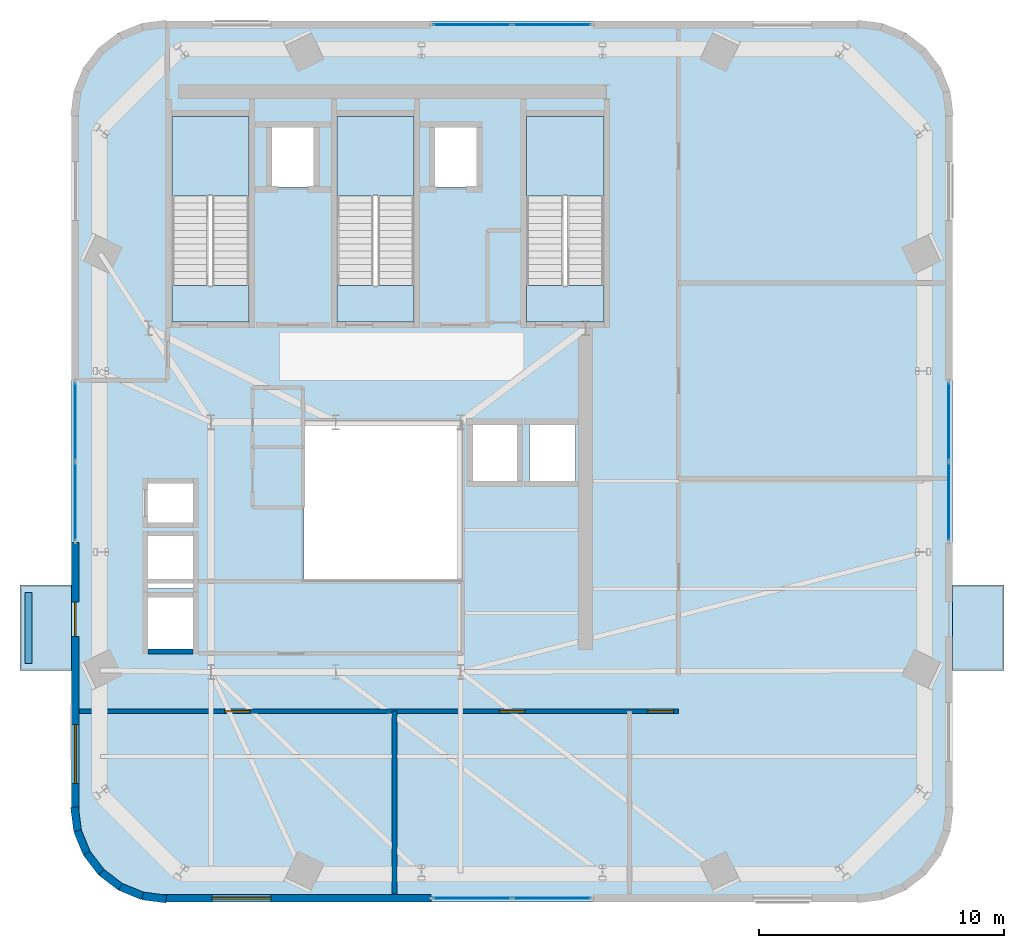
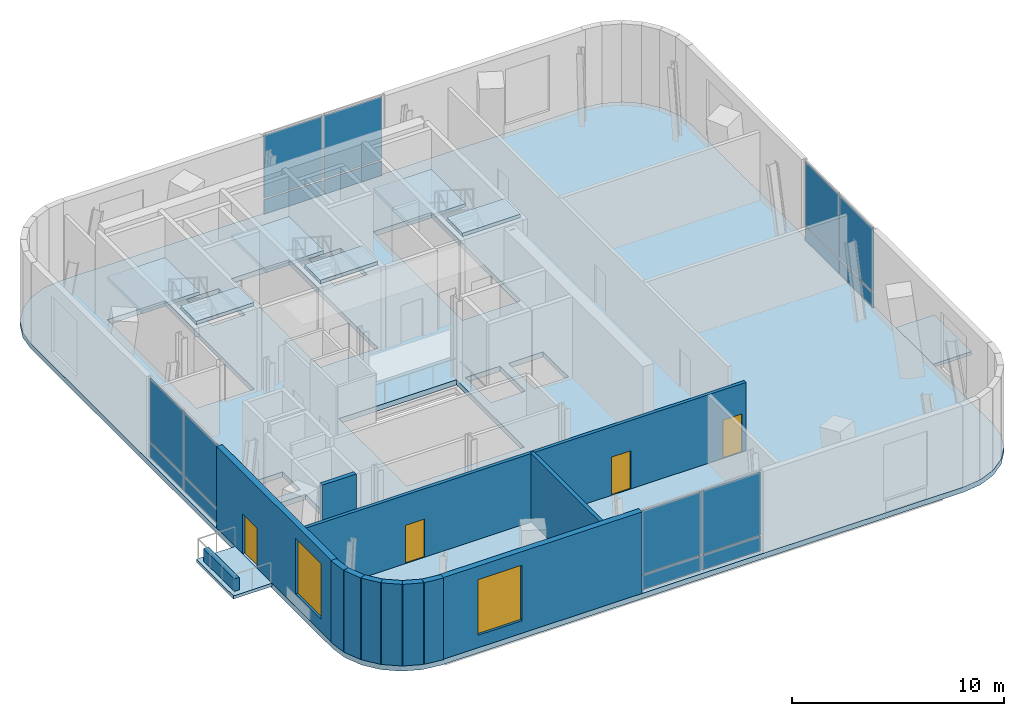
# One storey, part 5 of 11: 16 plates, 12 walls, 9 slabs, 4 doors, 2 windows, 6 openings, 7 elements without a shape of their own.
"""IFC4 building model written with IfcOpenShell, lengths in metres."""

from ifc_helpers import new_model, si_unit, direction, frame, frame_2d, origin, origin_2d, place, context, subcontext, project, spatial, polyline, rectangle, outline, extrude, source, transform, mapped, material, layer, layer_set, type_object, element, fill, aggregate, save


model = new_model("IFC4")

# Units and contexts
model_context = context("Model", 3, precision=1e-05, world=origin(), true_north=direction((0.0, 1.0)))
body_context = subcontext(model_context, "Body", "Model", "MODEL_VIEW")
ifc_project = project(units=[si_unit("LENGTHUNIT", "METRE"), si_unit("AREAUNIT", "SQUARE_METRE"), si_unit("VOLUMEUNIT", "CUBIC_METRE"), si_unit("PLANEANGLEUNIT", "RADIAN"), si_unit("MASSUNIT", "GRAM", prefix="KILO")], contexts=[model_context])

# Site, building, storey
site_placement = place(None, origin())
site = spatial("IfcSite", under=ifc_project, at=site_placement, CompositionType="ELEMENT")
building_placement = place(site_placement, origin())
building = spatial("IfcBuilding", under=site, at=building_placement, Name="Vardaveli Station Tower", CompositionType="ELEMENT")
storey_placement = place(building_placement, frame((0.0, 0.0, 296.14990234375)))
storey = spatial("IfcBuildingStorey", under=building, at=storey_placement, Name="L75", CompositionType="ELEMENT", Elevation=296.14990234375)

# Stair, slabs
ifc_material_1 = material(Name="Concrete C40/50", Category="concrete")
stair_type = type_object("IfcStairType", Name="STR-CORE-1500", PredefinedType="HALF_TURN_STAIR", material=ifc_material_1)
stair_1_placement = place(storey_placement, origin())
stair_1 = element("IfcStair", 1, at=stair_1_placement, inside=storey, type_object=stair_type, Name="L75 ST-1", PredefinedType="HALF_TURN_STAIR")
ifc_layer_1 = layer(ifc_material_1, 0.199951171875, Name="Concrete C40/50")
ifc_layer_set_1 = layer_set([ifc_layer_1], Name="Concrete C40/50")
slab_type_1 = type_object("IfcSlabType", Name="SLB-LAND-200", PredefinedType="LANDING", material=ifc_layer_set_1)
slab_1_placement = place(storey_placement, frame((0.0, 0.0, 2.300048828125)))
slab_1 = element("IfcSlab", 2, at=slab_1_placement, type_object=slab_type_1, Name="ST-1 landing 1", PredefinedType="LANDING", context=body_context, shape_type="SweptSolid", body=[
    extrude(outline(polyline([(32.75, 36.0400390625), (32.75, 39.300048828125), (29.60009765625, 39.300048828125), (29.60009765625, 36.0400390625), (32.75, 36.0400390625)])), origin(), (0.0, 0.0, 1.0), 0.199951171875),
])
slab_2_placement = place(storey_placement, frame((0.0, 0.0, 4.800048828125)))
slab_2 = element("IfcSlab", 3, at=slab_2_placement, type_object=slab_type_1, Name="ST-1 landing 2", PredefinedType="LANDING", context=body_context, shape_type="SweptSolid", body=[
    extrude(outline(polyline([(32.75, 30.89990234375), (32.75, 32.39990234375), (29.60009765625, 32.39990234375), (29.60009765625, 30.89990234375), (32.75, 30.89990234375)])), origin(), (0.0, 0.0, 1.0), 0.199951171875),
])
aggregate(stair_1, [slab_1, slab_2])

stair_2_placement = place(storey_placement, origin())
stair_2 = element("IfcStair", 4, at=stair_2_placement, inside=storey, type_object=stair_type, Name="L75 ST-2", PredefinedType="HALF_TURN_STAIR")
slab_3_placement = place(storey_placement, frame((0.0, 0.0, 2.300048828125)))
slab_3 = element("IfcSlab", 5, at=slab_3_placement, type_object=slab_type_1, Name="ST-2 landing 1", PredefinedType="LANDING", context=body_context, shape_type="SweptSolid", body=[
    extrude(outline(polyline([(39.5, 36.0400390625), (39.5, 39.300048828125), (36.35009765625, 39.300048828125), (36.35009765625, 36.0400390625), (39.5, 36.0400390625)])), origin(), (0.0, 0.0, 1.0), 0.199951171875),
])
slab_4_placement = place(storey_placement, frame((0.0, 0.0, 4.800048828125)))
slab_4 = element("IfcSlab", 6, at=slab_4_placement, type_object=slab_type_1, Name="ST-2 landing 2", PredefinedType="LANDING", context=body_context, shape_type="SweptSolid", body=[
    extrude(outline(polyline([(39.5, 30.89990234375), (39.5, 32.39990234375), (36.35009765625, 32.39990234375), (36.35009765625, 30.89990234375), (39.5, 30.89990234375)])), origin(), (0.0, 0.0, 1.0), 0.199951171875),
])
aggregate(stair_2, [slab_3, slab_4])

stair_3_placement = place(storey_placement, origin())
stair_3 = element("IfcStair", 7, at=stair_3_placement, inside=storey, type_object=stair_type, Name="L75 ST-3", PredefinedType="HALF_TURN_STAIR")
slab_5_placement = place(storey_placement, frame((0.0, 0.0, 2.300048828125)))
slab_5 = element("IfcSlab", 8, at=slab_5_placement, type_object=slab_type_1, Name="ST-3 landing 1", PredefinedType="LANDING", context=body_context, shape_type="SweptSolid", body=[
    extrude(outline(polyline([(47.25, 36.0400390625), (47.25, 39.300048828125), (44.10009765625, 39.300048828125), (44.10009765625, 36.0400390625), (47.25, 36.0400390625)])), origin(), (0.0, 0.0, 1.0), 0.199951171875),
])
slab_6_placement = place(storey_placement, frame((0.0, 0.0, 4.800048828125)))
slab_6 = element("IfcSlab", 9, at=slab_6_placement, type_object=slab_type_1, Name="ST-3 landing 2", PredefinedType="LANDING", context=body_context, shape_type="SweptSolid", body=[
    extrude(outline(polyline([(47.25, 30.89990234375), (47.25, 32.39990234375), (44.10009765625, 32.39990234375), (44.10009765625, 30.89990234375), (47.25, 30.89990234375)])), origin(), (0.0, 0.0, 1.0), 0.199951171875),
])
aggregate(stair_3, [slab_5, slab_6])

# Slabs
ifc_material_2 = material(Name="Precast concrete C45/55", Category="concrete")
ifc_layer_2 = layer(ifc_material_2, 0.179931640625, Name="Precast concrete C45/55")
ifc_layer_set_2 = layer_set([ifc_layer_2], Name="Precast concrete C45/55")
slab_type_2 = type_object("IfcSlabType", Name="SLB-LOGGIA-180", PredefinedType="FLOOR", material=ifc_layer_set_2)
slab_7_placement = place(storey_placement, frame((0.0, 0.0, -0.179931640625)))
element("IfcSlab", 10, at=slab_7_placement, inside=storey, type_object=slab_type_2, Name="LOG-L75-W", PredefinedType="FLOOR", context=body_context, shape_type="SweptSolid", body=[
    extrude(outline(polyline([(23.39990234375, 16.657470703125), (25.5, 16.657470703125), (25.5, 20.157470703125), (23.39990234375, 20.157470703125), (23.39990234375, 16.657470703125)])), origin(), (0.0, 0.0, 1.0), 0.179931640625),
])
slab_8_placement = place(storey_placement, frame((0.0, 0.0, -0.179931640625)))
element("IfcSlab", 11, at=slab_8_placement, inside=storey, type_object=slab_type_2, Name="LOG-L75-E", PredefinedType="FLOOR", context=body_context, shape_type="SweptSolid", body=[
    extrude(outline(polyline([(61.5, 16.657470703125), (63.60009765625, 16.657470703125), (63.60009765625, 20.157470703125), (61.5, 20.157470703125), (61.5, 16.657470703125)])), origin(), (0.0, 0.0, 1.0), 0.179931640625),
])
ifc_material_3 = material(Name="Concrete C50/60", Category="concrete")
ifc_layer_3 = layer(ifc_material_3, 0.300048828125, Name="Concrete C50/60")
ifc_layer_set_3 = layer_set([ifc_layer_3], Name="Concrete C50/60")
slab_type_3 = type_object("IfcSlabType", Name="SLB-REF-300", PredefinedType="FLOOR", material=ifc_layer_set_3)
slab_9_placement = place(storey_placement, frame((0.0, 0.0, -0.2998046875)))
element("IfcSlab", 12, at=slab_9_placement, inside=storey, type_object=slab_type_3, Name="SLB-L75-MAIN", PredefinedType="FLOOR", context=body_context, shape_type="SweptSolid", body=[
    extrude(outline(polyline([(25.5, 10.97998046875), (25.62890625, 10.001708984375), (26.00634765625, 9.090087890625), (26.607177734375, 8.30712890625), (27.389892578125, 7.70654296875), (28.3017578125, 7.328857421875), (29.280029296875, 7.199951171875), (57.719970703125, 7.199951171875), (58.6982421875, 7.328857421875), (59.610107421875, 7.70654296875), (60.392822265625, 8.30712890625), (60.99365234375, 9.090087890625), (61.37109375, 10.001708984375), (61.5, 10.97998046875), (61.5, 39.419921875), (61.37109375, 40.3984375), (60.99365234375, 41.31005859375), (60.392822265625, 42.0927734375), (59.610107421875, 42.693603515625), (58.6982421875, 43.0712890625), (57.719970703125, 43.199951171875), (29.280029296875, 43.199951171875), (28.3017578125, 43.0712890625), (27.389892578125, 42.693603515625), (26.607177734375, 42.0927734375), (26.00634765625, 41.31005859375), (25.62890625, 40.3984375), (25.5, 39.419921875), (25.5, 10.97998046875)]), holes=[polyline([(35.0, 20.39990234375), (41.39990234375, 20.39990234375), (41.39990234375, 26.800048828125), (35.0, 26.800048828125), (35.0, 20.39990234375)]), polyline([(32.75, 30.89990234375), (32.75, 39.300048828125), (29.60009765625, 39.300048828125), (29.60009765625, 30.89990234375), (32.75, 30.89990234375)]), polyline([(39.5, 30.89990234375), (39.5, 39.300048828125), (36.35009765625, 39.300048828125), (36.35009765625, 30.89990234375), (39.5, 30.89990234375)]), polyline([(47.25, 30.89990234375), (47.25, 39.300048828125), (44.10009765625, 39.300048828125), (44.10009765625, 30.89990234375), (47.25, 30.89990234375)]), polyline([(33.659912109375, 36.409912109375), (35.43994140625, 36.409912109375), (35.43994140625, 38.889892578125), (33.659912109375, 38.889892578125), (33.659912109375, 36.409912109375)]), polyline([(40.31005859375, 36.409912109375), (42.090087890625, 36.409912109375), (42.090087890625, 38.889892578125), (40.31005859375, 38.889892578125), (40.31005859375, 36.409912109375)]), polyline([(28.5849609375, 17.510009765625), (30.514892578125, 17.510009765625), (30.514892578125, 19.68994140625), (28.5849609375, 19.68994140625), (28.5849609375, 17.510009765625)]), polyline([(28.5849609375, 20.010009765625), (30.514892578125, 20.010009765625), (30.514892578125, 22.18994140625), (28.5849609375, 22.18994140625), (28.5849609375, 20.010009765625)]), polyline([(28.5849609375, 22.659912109375), (30.514892578125, 22.659912109375), (30.514892578125, 24.340087890625), (28.5849609375, 24.340087890625), (28.5849609375, 22.659912109375)]), polyline([(41.860107421875, 24.360107421875), (43.739990234375, 24.360107421875), (43.739990234375, 26.739990234375), (41.860107421875, 26.739990234375), (41.860107421875, 24.360107421875)]), polyline([(44.2099609375, 24.360107421875), (46.090087890625, 24.360107421875), (46.090087890625, 26.739990234375), (44.2099609375, 26.739990234375), (44.2099609375, 24.360107421875)])]), origin(), (0.0, 0.0, 1.0), 0.2998046875),
])

# Curtain wall, plates
ifc_material_4 = material(Name="Travertine stone and solar-control glass", Category="masonry")
curtain_wall_type = type_object("IfcCurtainWallType", Name="CW-SYS-5", PredefinedType="NOTDEFINED", material=ifc_material_4)
curtain_wall_1_placement = place(storey_placement, origin())
curtain_wall_1 = element("IfcCurtainWall", 13, at=curtain_wall_1_placement, inside=storey, type_object=curtain_wall_type, Name="CW-L75-S", PredefinedType="NOTDEFINED")
ifc_material_5 = material(Name="Double-glazed low-E solar-control glass", Category="glass")
ifc_layer_4 = layer(ifc_material_5, 0.031982421875, Name="Double-glazed low-E solar-control glass")
ifc_layer_set_4 = layer_set([ifc_layer_4], Name="Double-glazed low-E solar-control glass")
plate_type = type_object("IfcPlateType", Name="CW-SYS-5-PAN", PredefinedType="CURTAIN_PANEL", material=ifc_layer_set_4)
shared_shape_1 = source(origin(), body_context, "Body", "SweptSolid", [
    extrude(rectangle(XDim=3.179931640625, YDim=0.031982421875, at=origin_2d()), origin(), (0.0, 0.0, 1.0), 0.830078125),
])
plate_1_placement = place(storey_placement, frame((41.8701171875, 7.360107421875, 0.080078125), z_axis=(0.0, 0.0, 1.0), x_axis=(1.0, 0.0, 0.0)))
plate_1 = element("IfcPlate", 14, at=plate_1_placement, type_object=plate_type, Name="CW-5 panel 1.1", PredefinedType="CURTAIN_PANEL", context=body_context, shape_type="MappedRepresentation", body=[
    mapped(shared_shape_1, transform((0.0, 0.0, 0.0), scale=1.0)),
])
plate_2_placement = place(storey_placement, frame((45.1298828125, 7.360107421875, 0.080078125), z_axis=(0.0, 0.0, 1.0), x_axis=(1.0, 0.0, 0.0)))
plate_2 = element("IfcPlate", 15, at=plate_2_placement, type_object=plate_type, Name="CW-5 panel 2.1", PredefinedType="CURTAIN_PANEL", context=body_context, shape_type="MappedRepresentation", body=[
    mapped(shared_shape_1, transform((0.0, 0.0, 0.0), scale=1.0)),
])

curtain_wall_2_placement = place(storey_placement, origin())
curtain_wall_2 = element("IfcCurtainWall", 16, at=curtain_wall_2_placement, inside=storey, type_object=curtain_wall_type, Name="CW-L75-N", PredefinedType="NOTDEFINED")
plate_3_placement = place(storey_placement, frame((45.1298828125, 43.0400390625, 0.080078125), z_axis=(0.0, 0.0, 1.0), x_axis=(-1.0, 0.0, 0.0)))
plate_3 = element("IfcPlate", 17, at=plate_3_placement, type_object=plate_type, Name="CW-5 panel 1.1", PredefinedType="CURTAIN_PANEL", context=body_context, shape_type="MappedRepresentation", body=[
    mapped(shared_shape_1, transform((0.0, 0.0, 0.0), scale=1.0)),
])
plate_4_placement = place(storey_placement, frame((41.8701171875, 43.0400390625, 0.080078125), z_axis=(0.0, 0.0, 1.0), x_axis=(-1.0, 0.0, 0.0)))
plate_4 = element("IfcPlate", 18, at=plate_4_placement, type_object=plate_type, Name="CW-5 panel 2.1", PredefinedType="CURTAIN_PANEL", context=body_context, shape_type="MappedRepresentation", body=[
    mapped(shared_shape_1, transform((0.0, 0.0, 0.0), scale=1.0)),
])

curtain_wall_3_placement = place(storey_placement, origin())
curtain_wall_3 = element("IfcCurtainWall", 19, at=curtain_wall_3_placement, inside=storey, type_object=curtain_wall_type, Name="CW-L75-W", PredefinedType="NOTDEFINED")
plate_5_placement = place(storey_placement, frame((25.659912109375, 26.830078125, 0.080078125), z_axis=(0.0, 0.0, 1.0), x_axis=(0.0, -1.0, 0.0)))
plate_5 = element("IfcPlate", 20, at=plate_5_placement, type_object=plate_type, Name="CW-5 panel 1.1", PredefinedType="CURTAIN_PANEL", context=body_context, shape_type="MappedRepresentation", body=[
    mapped(shared_shape_1, transform((0.0, 0.0, 0.0), scale=1.0)),
])
plate_6_placement = place(storey_placement, frame((25.659912109375, 23.570068359375, 0.080078125), z_axis=(0.0, 0.0, 1.0), x_axis=(0.0, -1.0, 0.0)))
plate_6 = element("IfcPlate", 21, at=plate_6_placement, type_object=plate_type, Name="CW-5 panel 2.1", PredefinedType="CURTAIN_PANEL", context=body_context, shape_type="MappedRepresentation", body=[
    mapped(shared_shape_1, transform((0.0, 0.0, 0.0), scale=1.0)),
])

curtain_wall_4_placement = place(storey_placement, origin())
curtain_wall_4 = element("IfcCurtainWall", 22, at=curtain_wall_4_placement, inside=storey, type_object=curtain_wall_type, Name="CW-L75-E", PredefinedType="NOTDEFINED")
plate_7_placement = place(storey_placement, frame((61.340087890625, 23.570068359375, 0.080078125), z_axis=(0.0, 0.0, 1.0), x_axis=(0.0, 1.0, 0.0)))
plate_7 = element("IfcPlate", 23, at=plate_7_placement, type_object=plate_type, Name="CW-5 panel 1.1", PredefinedType="CURTAIN_PANEL", context=body_context, shape_type="MappedRepresentation", body=[
    mapped(shared_shape_1, transform((0.0, 0.0, 0.0), scale=1.0)),
])
plate_8_placement = place(storey_placement, frame((61.340087890625, 26.830078125, 0.080078125), z_axis=(0.0, 0.0, 1.0), x_axis=(0.0, 1.0, 0.0)))
plate_8 = element("IfcPlate", 24, at=plate_8_placement, type_object=plate_type, Name="CW-5 panel 2.1", PredefinedType="CURTAIN_PANEL", context=body_context, shape_type="MappedRepresentation", body=[
    mapped(shared_shape_1, transform((0.0, 0.0, 0.0), scale=1.0)),
])

# Plate
shared_shape_2 = source(origin(), body_context, "Body", "SweptSolid", [
    extrude(rectangle(XDim=3.179931640625, YDim=0.031982421875, at=origin_2d()), origin(), (0.0, 0.0, 1.0), 3.6298828125),
])
plate_9_placement = place(storey_placement, frame((41.8701171875, 7.360107421875, 0.990234375), z_axis=(0.0, 0.0, 1.0), x_axis=(1.0, 0.0, 0.0)))
plate_9 = element("IfcPlate", 25, at=plate_9_placement, type_object=plate_type, Name="CW-5 panel 1.2", PredefinedType="CURTAIN_PANEL", context=body_context, shape_type="MappedRepresentation", body=[
    mapped(shared_shape_2, transform((0.0, 0.0, 0.0), scale=1.0)),
])

plate_10_placement = place(storey_placement, frame((45.1298828125, 7.360107421875, 0.990234375), z_axis=(0.0, 0.0, 1.0), x_axis=(1.0, 0.0, 0.0)))
plate_10 = element("IfcPlate", 26, at=plate_10_placement, type_object=plate_type, Name="CW-5 panel 2.2", PredefinedType="CURTAIN_PANEL", context=body_context, shape_type="MappedRepresentation", body=[
    mapped(shared_shape_2, transform((0.0, 0.0, 0.0), scale=1.0)),
])

aggregate(curtain_wall_1, [plate_1, plate_9, plate_2, plate_10])

plate_11_placement = place(storey_placement, frame((45.1298828125, 43.0400390625, 0.990234375), z_axis=(0.0, 0.0, 1.0), x_axis=(-1.0, 0.0, 0.0)))
plate_11 = element("IfcPlate", 27, at=plate_11_placement, type_object=plate_type, Name="CW-5 panel 1.2", PredefinedType="CURTAIN_PANEL", context=body_context, shape_type="MappedRepresentation", body=[
    mapped(shared_shape_2, transform((0.0, 0.0, 0.0), scale=1.0)),
])

plate_12_placement = place(storey_placement, frame((41.8701171875, 43.0400390625, 0.990234375), z_axis=(0.0, 0.0, 1.0), x_axis=(-1.0, 0.0, 0.0)))
plate_12 = element("IfcPlate", 28, at=plate_12_placement, type_object=plate_type, Name="CW-5 panel 2.2", PredefinedType="CURTAIN_PANEL", context=body_context, shape_type="MappedRepresentation", body=[
    mapped(shared_shape_2, transform((0.0, 0.0, 0.0), scale=1.0)),
])

aggregate(curtain_wall_2, [plate_3, plate_11, plate_4, plate_12])

plate_13_placement = place(storey_placement, frame((25.659912109375, 26.830078125, 0.990234375), z_axis=(0.0, 0.0, 1.0), x_axis=(0.0, -1.0, 0.0)))
plate_13 = element("IfcPlate", 29, at=plate_13_placement, type_object=plate_type, Name="CW-5 panel 1.2", PredefinedType="CURTAIN_PANEL", context=body_context, shape_type="MappedRepresentation", body=[
    mapped(shared_shape_2, transform((0.0, 0.0, 0.0), scale=1.0)),
])

plate_14_placement = place(storey_placement, frame((25.659912109375, 23.570068359375, 0.990234375), z_axis=(0.0, 0.0, 1.0), x_axis=(0.0, -1.0, 0.0)))
plate_14 = element("IfcPlate", 30, at=plate_14_placement, type_object=plate_type, Name="CW-5 panel 2.2", PredefinedType="CURTAIN_PANEL", context=body_context, shape_type="MappedRepresentation", body=[
    mapped(shared_shape_2, transform((0.0, 0.0, 0.0), scale=1.0)),
])

aggregate(curtain_wall_3, [plate_5, plate_13, plate_6, plate_14])

plate_15_placement = place(storey_placement, frame((61.340087890625, 23.570068359375, 0.990234375), z_axis=(0.0, 0.0, 1.0), x_axis=(0.0, 1.0, 0.0)))
plate_15 = element("IfcPlate", 31, at=plate_15_placement, type_object=plate_type, Name="CW-5 panel 1.2", PredefinedType="CURTAIN_PANEL", context=body_context, shape_type="MappedRepresentation", body=[
    mapped(shared_shape_2, transform((0.0, 0.0, 0.0), scale=1.0)),
])

plate_16_placement = place(storey_placement, frame((61.340087890625, 26.830078125, 0.990234375), z_axis=(0.0, 0.0, 1.0), x_axis=(0.0, 1.0, 0.0)))
plate_16 = element("IfcPlate", 32, at=plate_16_placement, type_object=plate_type, Name="CW-5 panel 2.2", PredefinedType="CURTAIN_PANEL", context=body_context, shape_type="MappedRepresentation", body=[
    mapped(shared_shape_2, transform((0.0, 0.0, 0.0), scale=1.0)),
])

aggregate(curtain_wall_4, [plate_7, plate_15, plate_8, plate_16])

# Wall, opening, window
ifc_layer_5 = layer(ifc_material_2, 0.320068359375, Name="Precast concrete C45/55")
ifc_layer_set_5 = layer_set([ifc_layer_5], Name="Precast concrete C45/55")
wall_type_1 = type_object("IfcWallType", Name="WAL-EXT-STONE-320", PredefinedType="SOLIDWALL", material=ifc_layer_set_5)
shared_shape_3 = source(origin(), body_context, "Body", "SweptSolid", [
    extrude(rectangle(XDim=10.919921875, YDim=0.320068359375, at=frame_2d((5.4599609375, 0.0))), origin(), (0.0, 0.0, 1.0), 4.7001953125),
])
wall_1_placement = place(storey_placement, frame((29.280029296875, 7.360107421875, 0.0), z_axis=(0.0, 0.0, 1.0), x_axis=(1.0, 0.0, 0.0)))
wall_1 = element("IfcWall", 33, at=wall_1_placement, inside=storey, type_object=wall_type_1, Name="EW-L75-S1", PredefinedType="SOLIDWALL", context=body_context, shape_type="MappedRepresentation", body=[
    mapped(shared_shape_3, transform((0.0, 0.0, 0.0), scale=1.0)),
])
shared_shape_4 = source(origin(), body_context, "Body", "SweptSolid", [
    extrude(rectangle(XDim=2.39990234375, YDim=3.199951171875, at=frame_2d((1.199951171875, 1.60009765625))), frame((0.0, 0.169921875, 0.0), z_axis=(0.0, -1.0, 0.0), x_axis=(1.0, 0.0, 0.0)), (0.0, 0.0, 1.0), 0.340087890625),
])
opening_1_placement = place(wall_1_placement, frame((1.968994140625, 0.0, 0.719970703125)))
opening_1 = element("IfcOpeningElement", 34, at=opening_1_placement, cuts=wall_1, Name="Opening W-06", PredefinedType="OPENING", context=body_context, shape_type="MappedRepresentation", body=[
    mapped(shared_shape_4, transform((0.0, 0.0, 0.0), scale=1.0)),
])
ifc_material_6 = material(Name="Low-iron tempered belvedere glass", Category="glass")
window_type = type_object("IfcWindowType", Name="WIN-OBS-2400x3200", PartitioningType="SINGLE_PANEL", PredefinedType="WINDOW", material=ifc_material_6)
shared_shape_5 = source(origin(), body_context, "Body", "SweptSolid", [
    extrude(rectangle(XDim=2.39990234375, YDim=3.199951171875, at=frame_2d((1.199951171875, 1.60009765625))), frame((0.0, 0.030029296875, 0.0), z_axis=(0.0, -1.0, 0.0), x_axis=(1.0, 0.0, 0.0)), (0.0, 0.0, 1.0), 0.06005859375),
])
window_1_placement = place(opening_1_placement, origin())
window_1 = element("IfcWindow", 35, at=window_1_placement, inside=storey, type_object=window_type, Name="WN-L75-S1", OverallHeight=3.199951171875, OverallWidth=2.39990234375, PartitioningType="SINGLE_PANEL", PredefinedType="WINDOW", context=body_context, shape_type="MappedRepresentation", body=[
    mapped(shared_shape_5, transform((0.0, 0.0, 0.0), scale=1.0)),
])
fill(opening_1, window_1)

# Wall, openings, door, window
wall_2_placement = place(storey_placement, frame((25.659912109375, 21.89990234375, 0.0), z_axis=(0.0, 0.0, 1.0), x_axis=(0.0, -1.0, 0.0)))
wall_2 = element("IfcWall", 36, at=wall_2_placement, inside=storey, type_object=wall_type_1, Name="EW-L75-W2", PredefinedType="SOLIDWALL", context=body_context, shape_type="MappedRepresentation", body=[
    mapped(shared_shape_3, transform((0.0, 0.0, 0.0), scale=1.0)),
])
shared_shape_6 = source(origin(), body_context, "Body", "SweptSolid", [
    extrude(rectangle(XDim=1.39990234375, YDim=2.300048828125, at=frame_2d((0.699951171875, 1.14990234375))), frame((0.0, 0.169921875, 0.0), z_axis=(0.0, -1.0, 0.0), x_axis=(1.0, 0.0, 0.0)), (0.0, 0.0, 1.0), 0.340087890625),
])
opening_2_placement = place(wall_2_placement, frame((2.4423828125, 0.0, 0.0)))
opening_2 = element("IfcOpeningElement", 37, at=opening_2_placement, cuts=wall_2, Name="Opening D-09", PredefinedType="OPENING", context=body_context, shape_type="MappedRepresentation", body=[
    mapped(shared_shape_6, transform((0.0, 0.0, 0.0), scale=1.0)),
])
opening_3_placement = place(wall_2_placement, frame((7.450927734375, 0.0, 0.719970703125)))
opening_3 = element("IfcOpeningElement", 38, at=opening_3_placement, cuts=wall_2, Name="Opening W-06", PredefinedType="OPENING", context=body_context, shape_type="MappedRepresentation", body=[
    mapped(shared_shape_4, transform((0.0, 0.0, 0.0), scale=1.0)),
])
ifc_material_7 = material(Name="Thermally broken aluminium glass", Category="aluminium")
door_type_1 = type_object("IfcDoorType", Name="DR-LOG-1400x2300", OperationType="DOUBLE_DOOR_SLIDING", PredefinedType="DOOR", material=ifc_material_7)
shared_shape_7 = source(origin(), body_context, "Body", "SweptSolid", [
    extrude(rectangle(XDim=1.39990234375, YDim=2.300048828125, at=frame_2d((0.699951171875, 1.14990234375))), frame((0.0, 0.02490234375, 0.0), z_axis=(0.0, -1.0, 0.0), x_axis=(1.0, 0.0, 0.0)), (0.0, 0.0, 1.0), 0.050048828125),
])
door_1_placement = place(opening_2_placement, frame((1.39990234375, 0.0, 0.0), z_axis=(0.0, 0.0, 1.0), x_axis=(-1.0, 0.0, 0.0)))
door_1 = element("IfcDoor", 39, at=door_1_placement, inside=storey, type_object=door_type_1, Name="DLG-L75-W", OperationType="DOUBLE_DOOR_SLIDING", OverallHeight=2.300048828125, OverallWidth=1.39990234375, PredefinedType="DOOR", context=body_context, shape_type="MappedRepresentation", body=[
    mapped(shared_shape_7, transform((0.0, 0.0, 0.0), scale=1.0)),
])
fill(opening_2, door_1)
window_2_placement = place(opening_3_placement, origin())
window_2 = element("IfcWindow", 40, at=window_2_placement, inside=storey, type_object=window_type, Name="WN-L75-W2", OverallHeight=3.199951171875, OverallWidth=2.39990234375, PartitioningType="SINGLE_PANEL", PredefinedType="WINDOW", context=body_context, shape_type="MappedRepresentation", body=[
    mapped(shared_shape_5, transform((0.0, 0.0, 0.0), scale=1.0)),
])
fill(opening_3, window_2)

# Walls
shared_shape_8 = source(origin(), body_context, "Body", "SweptSolid", [
    extrude(rectangle(XDim=0.98193359375, YDim=0.320068359375, at=frame_2d((0.490966796875, 0.0))), origin(), (0.0, 0.0, 1.0), 4.7001953125),
])
for number, where, z_axis, x_axis, name in (
    (41, (25.62548828125, 11.0791015625, 0.0), (0.0, 0.0, 1.0), (0.127553190833, -0.991831731449, 0.0), "EW-L75-CR1-1"),
    (42, (28.4052734375, 7.45068359375, 0.0), (0.0, 0.0, 1.0), (0.991831731449, -0.127553190833, 0.0), "EW-L75-CR1-6"),
):
    element("IfcWall", number, at=place(storey_placement, frame(where, z_axis=z_axis, x_axis=x_axis)), inside=storey, type_object=wall_type_1, Name=name, PredefinedType="SOLIDWALL", context=body_context, shape_type="MappedRepresentation", body=[
        mapped(shared_shape_8, transform((0.0, 0.0, 0.0), scale=1.0)),
    ])
shared_shape_9 = source(origin(), body_context, "Body", "SweptSolid", [
    extrude(rectangle(XDim=0.98046875, YDim=0.320068359375, at=frame_2d((0.490234375, 0.0))), origin(), (0.0, 0.0, 1.0), 4.7001953125),
])
for number, where, z_axis, x_axis, name in (
    (43, (25.750732421875, 10.105224609375, 0.0), (0.0, 0.0, 1.0), (0.380687191599, -0.924703878089, 0.0), "EW-L75-CR1-2"),
    (44, (26.1240234375, 9.198486328125, 0.0), (0.0, 0.0, 1.0), (0.608096912543, -0.793862799831, 0.0), "EW-L75-CR1-3"),
):
    element("IfcWall", number, at=place(storey_placement, frame(where, z_axis=z_axis, x_axis=x_axis)), inside=storey, type_object=wall_type_1, Name=name, PredefinedType="SOLIDWALL", context=body_context, shape_type="MappedRepresentation", body=[
        mapped(shared_shape_9, transform((0.0, 0.0, 0.0), scale=1.0)),
    ])
shared_shape_10 = source(origin(), body_context, "Body", "SweptSolid", [
    extrude(rectangle(XDim=0.97998046875, YDim=0.320068359375, at=frame_2d((0.489990234375, 0.0))), origin(), (0.0, 0.0, 1.0), 4.7001953125),
])
wall_3_placement = place(storey_placement, frame((26.72021484375, 8.420166015625, 0.0), z_axis=(0.0, 0.0, 1.0), x_axis=(0.793890938557, -0.608060176033, 0.0)))
element("IfcWall", 45, at=wall_3_placement, inside=storey, type_object=wall_type_1, Name="EW-L75-CR1-4", PredefinedType="SOLIDWALL", context=body_context, shape_type="MappedRepresentation", body=[
    mapped(shared_shape_10, transform((0.0, 0.0, 0.0), scale=1.0)),
])
shared_shape_11 = source(origin(), body_context, "Body", "SweptSolid", [
    extrude(rectangle(XDim=0.98095703125, YDim=0.320068359375, at=frame_2d((0.490478515625, 0.0))), origin(), (0.0, 0.0, 1.0), 4.7001953125),
])
wall_4_placement = place(storey_placement, frame((27.498291015625, 7.82421875, 0.0), z_axis=(0.0, 0.0, 1.0), x_axis=(0.924652322999, -0.380812396821, 0.0)))
element("IfcWall", 46, at=wall_4_placement, inside=storey, type_object=wall_type_1, Name="EW-L75-CR1-5", PredefinedType="SOLIDWALL", context=body_context, shape_type="MappedRepresentation", body=[
    mapped(shared_shape_11, transform((0.0, 0.0, 0.0), scale=1.0)),
])
ifc_layer_6 = layer(ifc_material_2, 0.280029296875, Name="Precast concrete C45/55")
ifc_layer_set_6 = layer_set([ifc_layer_6], Name="Precast concrete C45/55")
wall_type_2 = type_object("IfcWallType", Name="WAL-PARAPET-280", PredefinedType="SOLIDWALL", material=ifc_layer_set_6)
shared_shape_12 = source(origin(), body_context, "Body", "SweptSolid", [
    extrude(rectangle(XDim=2.89990234375, YDim=0.280029296875, at=frame_2d((1.449951171875, 0.0))), origin(), (0.0, 0.0, 1.0), 0.72021484375),
])
wall_5_placement = place(storey_placement, frame((23.75, 16.95751953125, 0.0), z_axis=(0.0, 0.0, 1.0), x_axis=(0.0, 1.0, 0.0)))
element("IfcWall", 47, at=wall_5_placement, inside=storey, type_object=wall_type_2, Name="Terrace Travertine Planter L75", PredefinedType="SOLIDWALL", context=body_context, shape_type="MappedRepresentation", body=[
    mapped(shared_shape_12, transform((0.0, 0.0, 0.0), scale=1.0)),
])
ifc_layer_7 = layer(ifc_material_1, 0.219970703125, Name="Concrete C40/50")
ifc_layer_set_7 = layer_set([ifc_layer_7], Name="Concrete C40/50")
wall_type_3 = type_object("IfcWallType", Name="WAL-FFLOBBY-220", PredefinedType="SOLIDWALL", material=ifc_layer_set_7)
shared_shape_13 = source(origin(), body_context, "Body", "SweptSolid", [
    extrude(rectangle(XDim=1.85009765625, YDim=0.219970703125, at=frame_2d((0.925048828125, 0.0))), origin(), (0.0, 0.0, 1.0), 4.14208984375),
])
wall_6_placement = place(storey_placement, frame((28.625, 17.43994140625, 0.0), z_axis=(0.0, 0.0, 1.0), x_axis=(1.0, 0.0, 0.0)))
element("IfcWall", 48, at=wall_6_placement, inside=storey, type_object=wall_type_3, Name="SHW-OBS-01-L75-S", PredefinedType="SOLIDWALL", context=body_context, shape_type="MappedRepresentation", body=[
    mapped(shared_shape_13, transform((0.0, 0.0, 0.0), scale=1.0)),
])

# Wall, openings, doors
ifc_material_8 = material(Name="Fire-rated gypsum stud partition")
ifc_layer_8 = layer(ifc_material_8, 0.179931640625, Name="Fire-rated gypsum stud partition")
ifc_layer_set_8 = layer_set([ifc_layer_8], Name="Fire-rated gypsum stud partition")
wall_type_4 = type_object("IfcWallType", Name="WAL-CORR-180", PredefinedType="PARTITIONING", material=ifc_layer_set_8)
shared_shape_14 = source(origin(), body_context, "Body", "SweptSolid", [
    extrude(rectangle(XDim=24.47802734375, YDim=0.179931640625, at=frame_2d((12.239013671875, 0.0))), origin(), (0.0, 0.0, 1.0), 3.942138671875),
])
wall_7_placement = place(storey_placement, frame((25.822021484375, 15.0, 0.0), z_axis=(0.0, 0.0, 1.0), x_axis=(1.0, 0.0, 0.0)))
wall_7 = element("IfcWall", 49, at=wall_7_placement, inside=storey, type_object=wall_type_4, Name="W-L75-CS", PredefinedType="PARTITIONING", context=body_context, shape_type="MappedRepresentation", body=[
    mapped(shared_shape_14, transform((0.0, 0.0, 0.0), scale=1.0)),
])
shared_shape_15 = source(origin(), body_context, "Body", "SweptSolid", [
    extrude(rectangle(XDim=1.050048828125, YDim=2.199951171875, at=frame_2d((0.52490234375, 1.10009765625))), frame((0.0, 0.10009765625, 0.0), z_axis=(0.0, -1.0, 0.0), x_axis=(1.0, 0.0, 0.0)), (0.0, 0.0, 1.0), 0.199951171875),
])
opening_4_placement = place(wall_7_placement, frame((5.93310546875, 0.0, 0.0)))
opening_4 = element("IfcOpeningElement", 50, at=opening_4_placement, cuts=wall_7, Name="Opening D-05", PredefinedType="OPENING", context=body_context, shape_type="MappedRepresentation", body=[
    mapped(shared_shape_15, transform((0.0, 0.0, 0.0), scale=1.0)),
])
opening_5_placement = place(wall_7_placement, frame((17.157958984375, 0.0, 0.0)))
opening_5 = element("IfcOpeningElement", 51, at=opening_5_placement, cuts=wall_7, Name="Opening D-05", PredefinedType="OPENING", context=body_context, shape_type="MappedRepresentation", body=[
    mapped(shared_shape_15, transform((0.0, 0.0, 0.0), scale=1.0)),
])
opening_6_placement = place(wall_7_placement, frame((23.22802734375, 0.0, 0.0)))
opening_6 = element("IfcOpeningElement", 52, at=opening_6_placement, cuts=wall_7, Name="Opening D-05", PredefinedType="OPENING", context=body_context, shape_type="MappedRepresentation", body=[
    mapped(shared_shape_15, transform((0.0, 0.0, 0.0), scale=1.0)),
])
ifc_material_9 = material(Name="Walnut veneer acoustic fire door")
door_type_2 = type_object("IfcDoorType", Name="DR-SUITE-1050x2200", OperationType="NOTDEFINED", PredefinedType="DOOR", material=ifc_material_9)
shared_shape_16 = source(origin(), body_context, "Body", "SweptSolid", [
    extrude(rectangle(XDim=1.050048828125, YDim=2.199951171875, at=frame_2d((0.52490234375, 1.10009765625))), frame((0.0, 0.02490234375, 0.0), z_axis=(0.0, -1.0, 0.0), x_axis=(1.0, 0.0, 0.0)), (0.0, 0.0, 1.0), 0.050048828125),
])
door_2_placement = place(opening_4_placement, origin())
door_2 = element("IfcDoor", 53, at=door_2_placement, inside=storey, type_object=door_type_2, Name="D-L75-OB1", OperationType="SINGLE_SWING_LEFT", OverallHeight=2.199951171875, OverallWidth=1.050048828125, PredefinedType="DOOR", context=body_context, shape_type="MappedRepresentation", body=[
    mapped(shared_shape_16, transform((0.0, 0.0, 0.0), scale=1.0)),
])
fill(opening_4, door_2)
door_3_placement = place(opening_5_placement, origin())
door_3 = element("IfcDoor", 54, at=door_3_placement, inside=storey, type_object=door_type_2, Name="D-L75-OB2", OperationType="SINGLE_SWING_RIGHT", OverallHeight=2.199951171875, OverallWidth=1.050048828125, PredefinedType="DOOR", context=body_context, shape_type="MappedRepresentation", body=[
    mapped(shared_shape_16, transform((0.0, 0.0, 0.0), scale=1.0)),
])
fill(opening_5, door_3)
door_4_placement = place(opening_6_placement, origin())
door_4 = element("IfcDoor", 55, at=door_4_placement, inside=storey, type_object=door_type_2, Name="D-L75-OB3", OperationType="SINGLE_SWING_LEFT", OverallHeight=2.199951171875, OverallWidth=1.050048828125, PredefinedType="DOOR", context=body_context, shape_type="MappedRepresentation", body=[
    mapped(shared_shape_16, transform((0.0, 0.0, 0.0), scale=1.0)),
])
fill(opening_6, door_4)

# Wall
ifc_material_10 = material(Name="Acoustic twin-stud gypsum partition")
ifc_layer_9 = layer(ifc_material_10, 0.199951171875, Name="Acoustic twin-stud gypsum partition")
ifc_layer_set_9 = layer_set([ifc_layer_9], Name="Acoustic twin-stud gypsum partition")
wall_type_5 = type_object("IfcWallType", Name="WAL-PARTY-200", PredefinedType="PARTITIONING", material=ifc_layer_set_9)
shared_shape_17 = source(origin(), body_context, "Body", "SweptSolid", [
    extrude(rectangle(XDim=7.47802734375, YDim=0.199951171875, at=frame_2d((3.739013671875, 0.0))), origin(), (0.0, 0.0, 1.0), 3.942138671875),
])
wall_8_placement = place(storey_placement, frame((38.699951171875, 7.52197265625, 0.0), z_axis=(0.0, 0.0, 1.0), x_axis=(0.0, 1.0, 0.0)))
element("IfcWall", 56, at=wall_8_placement, inside=storey, type_object=wall_type_5, Name="W-L75-SM1", PredefinedType="PARTITIONING", context=body_context, shape_type="MappedRepresentation", body=[
    mapped(shared_shape_17, transform((0.0, 0.0, 0.0), scale=1.0)),
])

save(model, "model.ifc")
